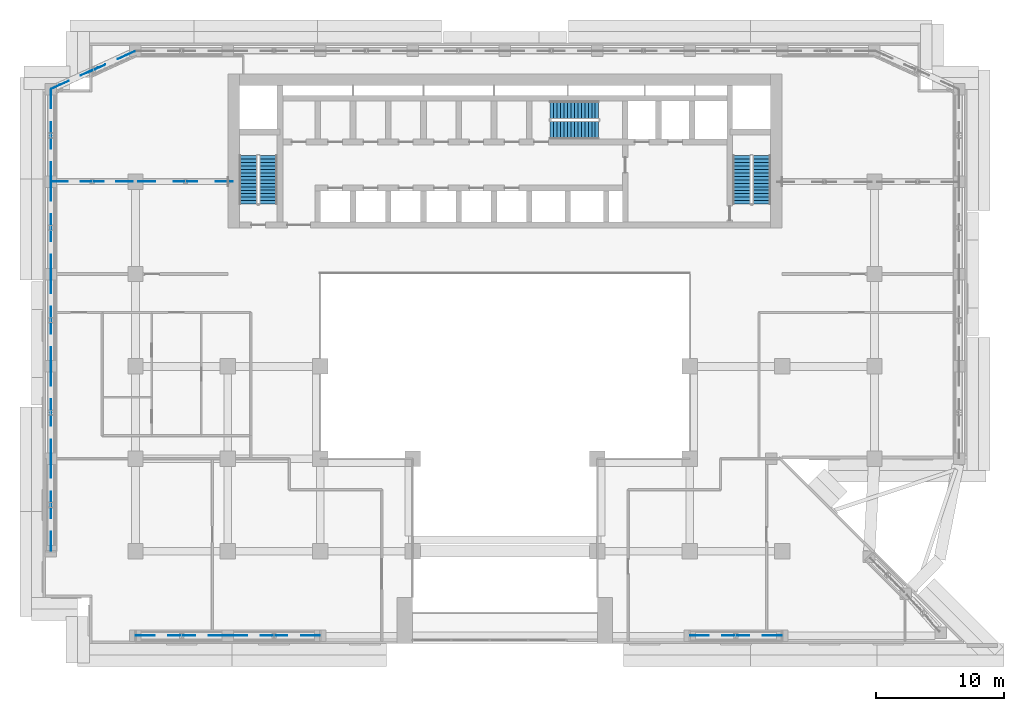
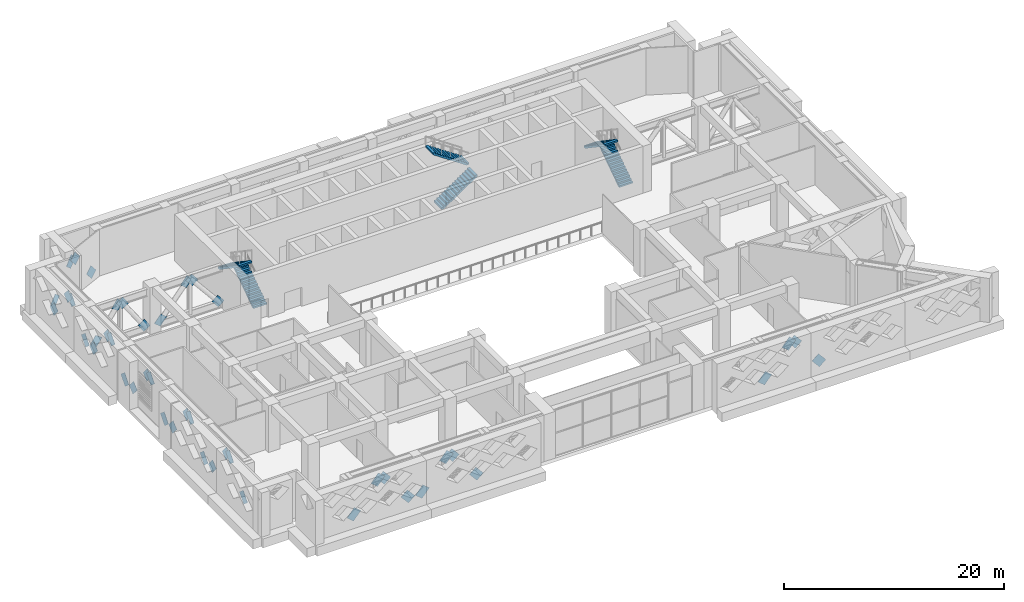
# One storey, part 12 of 19: 44 discrete accessories, 6 stair flights, 3 elements without a shape of their own.
"""IFC4 building model written with IfcOpenShell, lengths in metres."""

from ifc_helpers import new_model, si_unit, direction, frame, origin, place, context, subcontext, project, spatial, polyline, outline, extrude, material, layer, layer_set, type_object, element, aggregate, save


model = new_model("IFC4")

# Units and contexts
model_context = context("Model", 3, precision=1e-05, world=origin(), true_north=direction((0.0, 1.0)))
body_context = subcontext(model_context, "Body", "Model", "MODEL_VIEW")
ifc_project = project(units=[si_unit("LENGTHUNIT", "METRE"), si_unit("AREAUNIT", "SQUARE_METRE"), si_unit("VOLUMEUNIT", "CUBIC_METRE"), si_unit("PLANEANGLEUNIT", "RADIAN"), si_unit("MASSUNIT", "GRAM", prefix="KILO")], contexts=[model_context])

# Site, building, storey
site_placement = place(None, origin())
site = spatial("IfcSite", under=ifc_project, at=site_placement, CompositionType="ELEMENT")
building_placement = place(site_placement, origin())
building = spatial("IfcBuilding", under=site, at=building_placement, Name="Saffron Iwan Residences", CompositionType="ELEMENT")
storey_placement = place(building_placement, frame((0.0, 0.0, 107.5)))
storey = spatial("IfcBuildingStorey", under=building, at=storey_placement, Name="L28", CompositionType="ELEMENT", Elevation=107.5)

# Stair, stair flights
ifc_material = material(Name="Concrete C50/60", Category="concrete")
stair_type = type_object("IfcStairType", Name="Stair ST-CORE", PredefinedType="HALF_TURN_STAIR", material=ifc_material)
stair_1_placement = place(storey_placement, origin())
stair_1 = element("IfcStair", 1, at=stair_1_placement, inside=storey, type_object=stair_type, Name="L28 Exit Stair ST-W", PredefinedType="HALF_TURN_STAIR")
ifc_layer = layer(ifc_material, 0.14990234375)
ifc_layer_set = layer_set([ifc_layer], Name="Concrete C50/60")
stair_flight_type = type_object("IfcStairFlightType", Name="Stair flight SFL-RC", PredefinedType="STRAIGHT", material=ifc_layer_set)
stair_flight_1_placement = place(storey_placement, frame((31.949951171875, 67.85009765625, 0.0), z_axis=(0.0, 0.0, 1.0), x_axis=(0.0, 1.0, 0.0)))
stair_flight_1 = element("IfcStairFlight", 2, at=stair_flight_1_placement, type_object=stair_flight_type, Name="ST-W flight 1", NumberOfRisers=15, NumberOfTreads=14, PredefinedType="STRAIGHT", RiserHeight=0.183333333, TreadLength=0.27, context=body_context, shape_type="SweptSolid", body=[
    extrude(outline(polyline([(0.0, 0.0), (0.0, 0.183349609375), (0.27001953125, 0.183349609375), (0.27001953125, 0.36669921875), (0.5400390625, 0.36669921875), (0.5400390625, 0.550048828125), (0.81005859375, 0.550048828125), (0.81005859375, 0.7333984375), (1.080078125, 0.7333984375), (1.080078125, 0.916748046875), (1.35009765625, 0.916748046875), (1.35009765625, 1.10009765625), (1.6201171875, 1.10009765625), (1.6201171875, 1.283447265625), (1.889892578125, 1.283447265625), (1.889892578125, 1.466552734375), (2.159912109375, 1.466552734375), (2.159912109375, 1.64990234375), (2.429931640625, 1.64990234375), (2.429931640625, 1.833251953125), (2.699951171875, 1.833251953125), (2.699951171875, 2.0166015625), (2.969970703125, 2.0166015625), (2.969970703125, 2.199951171875), (3.239990234375, 2.199951171875), (3.239990234375, 2.38330078125), (3.510009765625, 2.38330078125), (3.510009765625, 2.566650390625), (3.780029296875, 2.566650390625), (3.780029296875, 2.75), (3.780029296875, 2.385498046875), (0.266845703125, 0.0), (0.0, 0.0)])), frame((0.0, 0.699951171875, 0.0), z_axis=(0.0, -1.0, 0.0), x_axis=(1.0, 0.0, 0.0)), (0.0, 0.0, 1.0), 1.39990234375),
])
stair_flight_2_placement = place(storey_placement, frame((30.39990234375, 71.6298828125, 2.75), z_axis=(0.0, 0.0, 1.0), x_axis=(0.0, -1.0, 0.0)))
stair_flight_2 = element("IfcStairFlight", 3, at=stair_flight_2_placement, type_object=stair_flight_type, Name="ST-W flight 2", NumberOfRisers=15, NumberOfTreads=14, PredefinedType="STRAIGHT", RiserHeight=0.183333333, TreadLength=0.27, context=body_context, shape_type="SweptSolid", body=[
    extrude(outline(polyline([(0.0, 0.0), (0.0, 0.183349609375), (0.27001953125, 0.183349609375), (0.27001953125, 0.36669921875), (0.5400390625, 0.36669921875), (0.5400390625, 0.550048828125), (0.81005859375, 0.550048828125), (0.81005859375, 0.7333984375), (1.080078125, 0.7333984375), (1.080078125, 0.916748046875), (1.35009765625, 0.916748046875), (1.35009765625, 1.10009765625), (1.6201171875, 1.10009765625), (1.6201171875, 1.283447265625), (1.889892578125, 1.283447265625), (1.889892578125, 1.466552734375), (2.159912109375, 1.466552734375), (2.159912109375, 1.64990234375), (2.429931640625, 1.64990234375), (2.429931640625, 1.833251953125), (2.699951171875, 1.833251953125), (2.699951171875, 2.0166015625), (2.969970703125, 2.0166015625), (2.969970703125, 2.199951171875), (3.239990234375, 2.199951171875), (3.239990234375, 2.38330078125), (3.510009765625, 2.38330078125), (3.510009765625, 2.566650390625), (3.780029296875, 2.566650390625), (3.780029296875, 2.75), (3.780029296875, 2.385498046875), (0.266845703125, 0.0), (0.0, 0.0)])), frame((0.0, 0.699951171875, 0.0), z_axis=(0.0, -1.0, 0.0), x_axis=(1.0, 0.0, 0.0)), (0.0, 0.0, 1.0), 1.39990234375),
])
aggregate(stair_1, [stair_flight_1, stair_flight_2])

stair_2_placement = place(storey_placement, origin())
stair_2 = element("IfcStair", 4, at=stair_2_placement, inside=storey, type_object=stair_type, Name="L28 Exit Stair ST-C", PredefinedType="HALF_TURN_STAIR")
stair_flight_3_placement = place(storey_placement, frame((53.925048828125, 73.625, 0.0), z_axis=(0.0, 0.0, 1.0), x_axis=(1.0, 0.0, 0.0)))
stair_flight_3 = element("IfcStairFlight", 5, at=stair_flight_3_placement, type_object=stair_flight_type, Name="ST-C flight 1", NumberOfRisers=15, NumberOfTreads=14, PredefinedType="STRAIGHT", RiserHeight=0.183333333, TreadLength=0.27, context=body_context, shape_type="SweptSolid", body=[
    extrude(outline(polyline([(0.0, 0.0), (0.0, 0.183349609375), (0.27001953125, 0.183349609375), (0.27001953125, 0.36669921875), (0.5400390625, 0.36669921875), (0.5400390625, 0.550048828125), (0.81005859375, 0.550048828125), (0.81005859375, 0.7333984375), (1.080078125, 0.7333984375), (1.080078125, 0.916748046875), (1.35009765625, 0.916748046875), (1.35009765625, 1.10009765625), (1.6201171875, 1.10009765625), (1.6201171875, 1.283447265625), (1.889892578125, 1.283447265625), (1.889892578125, 1.466552734375), (2.159912109375, 1.466552734375), (2.159912109375, 1.64990234375), (2.429931640625, 1.64990234375), (2.429931640625, 1.833251953125), (2.699951171875, 1.833251953125), (2.699951171875, 2.0166015625), (2.969970703125, 2.0166015625), (2.969970703125, 2.199951171875), (3.239990234375, 2.199951171875), (3.239990234375, 2.38330078125), (3.510009765625, 2.38330078125), (3.510009765625, 2.566650390625), (3.780029296875, 2.566650390625), (3.780029296875, 2.75), (3.780029296875, 2.385498046875), (0.266845703125, 0.0), (0.0, 0.0)])), frame((0.0, 0.699951171875, 0.0), z_axis=(0.0, -1.0, 0.0), x_axis=(1.0, 0.0, 0.0)), (0.0, 0.0, 1.0), 1.39990234375),
])
stair_flight_4_placement = place(storey_placement, frame((57.705078125, 75.175048828125, 2.75), z_axis=(0.0, 0.0, 1.0), x_axis=(-1.0, 0.0, 0.0)))
stair_flight_4 = element("IfcStairFlight", 6, at=stair_flight_4_placement, type_object=stair_flight_type, Name="ST-C flight 2", NumberOfRisers=15, NumberOfTreads=14, PredefinedType="STRAIGHT", RiserHeight=0.183333333, TreadLength=0.27, context=body_context, shape_type="SweptSolid", body=[
    extrude(outline(polyline([(0.0, 0.0), (0.0, 0.183349609375), (0.27001953125, 0.183349609375), (0.27001953125, 0.36669921875), (0.5400390625, 0.36669921875), (0.5400390625, 0.550048828125), (0.81005859375, 0.550048828125), (0.81005859375, 0.7333984375), (1.080078125, 0.7333984375), (1.080078125, 0.916748046875), (1.35009765625, 0.916748046875), (1.35009765625, 1.10009765625), (1.6201171875, 1.10009765625), (1.6201171875, 1.283447265625), (1.889892578125, 1.283447265625), (1.889892578125, 1.466552734375), (2.159912109375, 1.466552734375), (2.159912109375, 1.64990234375), (2.429931640625, 1.64990234375), (2.429931640625, 1.833251953125), (2.699951171875, 1.833251953125), (2.699951171875, 2.0166015625), (2.969970703125, 2.0166015625), (2.969970703125, 2.199951171875), (3.239990234375, 2.199951171875), (3.239990234375, 2.38330078125), (3.510009765625, 2.38330078125), (3.510009765625, 2.566650390625), (3.780029296875, 2.566650390625), (3.780029296875, 2.75), (3.780029296875, 2.385498046875), (0.266845703125, 0.0), (0.0, 0.0)])), frame((0.0, 0.699951171875, 0.0), z_axis=(0.0, -1.0, 0.0), x_axis=(1.0, 0.0, 0.0)), (0.0, 0.0, 1.0), 1.39990234375),
])
aggregate(stair_2, [stair_flight_3, stair_flight_4])

stair_3_placement = place(storey_placement, origin())
stair_3 = element("IfcStair", 7, at=stair_3_placement, inside=storey, type_object=stair_type, Name="L28 Exit Stair ST-E", PredefinedType="HALF_TURN_STAIR")
stair_flight_5_placement = place(storey_placement, frame((70.39990234375, 67.85009765625, 0.0), z_axis=(0.0, 0.0, 1.0), x_axis=(0.0, 1.0, 0.0)))
stair_flight_5 = element("IfcStairFlight", 8, at=stair_flight_5_placement, type_object=stair_flight_type, Name="ST-E flight 1", NumberOfRisers=15, NumberOfTreads=14, PredefinedType="STRAIGHT", RiserHeight=0.183333333, TreadLength=0.27, context=body_context, shape_type="SweptSolid", body=[
    extrude(outline(polyline([(0.0, 0.0), (0.0, 0.183349609375), (0.27001953125, 0.183349609375), (0.27001953125, 0.36669921875), (0.5400390625, 0.36669921875), (0.5400390625, 0.550048828125), (0.81005859375, 0.550048828125), (0.81005859375, 0.7333984375), (1.080078125, 0.7333984375), (1.080078125, 0.916748046875), (1.35009765625, 0.916748046875), (1.35009765625, 1.10009765625), (1.6201171875, 1.10009765625), (1.6201171875, 1.283447265625), (1.889892578125, 1.283447265625), (1.889892578125, 1.466552734375), (2.159912109375, 1.466552734375), (2.159912109375, 1.64990234375), (2.429931640625, 1.64990234375), (2.429931640625, 1.833251953125), (2.699951171875, 1.833251953125), (2.699951171875, 2.0166015625), (2.969970703125, 2.0166015625), (2.969970703125, 2.199951171875), (3.239990234375, 2.199951171875), (3.239990234375, 2.38330078125), (3.510009765625, 2.38330078125), (3.510009765625, 2.566650390625), (3.780029296875, 2.566650390625), (3.780029296875, 2.75), (3.780029296875, 2.385498046875), (0.266845703125, 0.0), (0.0, 0.0)])), frame((0.0, 0.699951171875, 0.0), z_axis=(0.0, -1.0, 0.0), x_axis=(1.0, 0.0, 0.0)), (0.0, 0.0, 1.0), 1.39990234375),
])
stair_flight_6_placement = place(storey_placement, frame((68.85009765625, 71.6298828125, 2.75), z_axis=(0.0, 0.0, 1.0), x_axis=(0.0, -1.0, 0.0)))
stair_flight_6 = element("IfcStairFlight", 9, at=stair_flight_6_placement, type_object=stair_flight_type, Name="ST-E flight 2", NumberOfRisers=15, NumberOfTreads=14, PredefinedType="STRAIGHT", RiserHeight=0.183333333, TreadLength=0.27, context=body_context, shape_type="SweptSolid", body=[
    extrude(outline(polyline([(0.0, 0.0), (0.0, 0.183349609375), (0.27001953125, 0.183349609375), (0.27001953125, 0.36669921875), (0.5400390625, 0.36669921875), (0.5400390625, 0.550048828125), (0.81005859375, 0.550048828125), (0.81005859375, 0.7333984375), (1.080078125, 0.7333984375), (1.080078125, 0.916748046875), (1.35009765625, 0.916748046875), (1.35009765625, 1.10009765625), (1.6201171875, 1.10009765625), (1.6201171875, 1.283447265625), (1.889892578125, 1.283447265625), (1.889892578125, 1.466552734375), (2.159912109375, 1.466552734375), (2.159912109375, 1.64990234375), (2.429931640625, 1.64990234375), (2.429931640625, 1.833251953125), (2.699951171875, 1.833251953125), (2.699951171875, 2.0166015625), (2.969970703125, 2.0166015625), (2.969970703125, 2.199951171875), (3.239990234375, 2.199951171875), (3.239990234375, 2.38330078125), (3.510009765625, 2.38330078125), (3.510009765625, 2.566650390625), (3.780029296875, 2.566650390625), (3.780029296875, 2.75), (3.780029296875, 2.385498046875), (0.266845703125, 0.0), (0.0, 0.0)])), frame((0.0, 0.699951171875, 0.0), z_axis=(0.0, -1.0, 0.0), x_axis=(1.0, 0.0, 0.0)), (0.0, 0.0, 1.0), 1.39990234375),
])
aggregate(stair_3, [stair_flight_5, stair_flight_6])

# Discrete accessories
discrete_accessory_1_placement = place(storey_placement, frame((15.0, 40.830078125, 0.511474609375), z_axis=(-1.0, 0.0, 0.0), x_axis=(0.0, 0.650255036817, 0.759715991075)))
element("IfcDiscreteAccessory", 10, at=discrete_accessory_1_placement, inside=storey, Name="Gusset plate L28", PredefinedType="BRACKET", context=body_context, shape_type="SweptSolid", body=[
    extrude(outline(polyline([(0.0, 0.0), (1.199949855551478, 0.0), (1.2000292323870267, 0.9000551304320503), (7.937683554892772e-05, 0.9000551304320501), (0.0, 0.0)])), origin(), (0.0, 0.0, -1.0), 0.030029296875),
])
discrete_accessory_2_placement = place(storey_placement, frame((15.0, 44.81982421875, 3.78857421875), z_axis=(-1.0, 0.0, 0.0), x_axis=(0.0, -0.650255036817, -0.759715991075)))
element("IfcDiscreteAccessory", 11, at=discrete_accessory_2_placement, inside=storey, Name="Gusset plate L28", PredefinedType="BRACKET", context=body_context, shape_type="SweptSolid", body=[
    extrude(outline(polyline([(0.0, 0.0), (1.199949855551478, 0.0), (1.2000292323870267, 0.9000551304320503), (-7.937683554892772e-05, 0.8998696528951668), (0.0, 0.0)])), origin(), (0.0, 0.0, -1.0), 0.030029296875),
])
discrete_accessory_3_placement = place(storey_placement, frame((15.0, 44.663818359375, 4.373779296875), z_axis=(-1.0, 0.0, 0.0), x_axis=(0.0, 0.650255036817, -0.759715991075)))
element("IfcDiscreteAccessory", 12, at=discrete_accessory_3_placement, inside=storey, Name="Gusset plate L28", PredefinedType="BRACKET", context=body_context, shape_type="SweptSolid", body=[
    extrude(outline(polyline([(0.0, 0.0), (1.199949855551478, 0.0), (1.200029232387027, 0.8998696528951668), (-7.937683554892772e-05, 0.9000551304320501), (0.0, 0.0)])), origin(), (0.0, 0.0, -1.0), 0.030029296875),
])
discrete_accessory_4_placement = place(storey_placement, frame((15.0, 47.2861328125, -0.07373046875), z_axis=(-1.0, 0.0, 0.0), x_axis=(0.0, -0.650255036817, 0.759715991075)))
element("IfcDiscreteAccessory", 13, at=discrete_accessory_4_placement, inside=storey, Name="Gusset plate L28", PredefinedType="BRACKET", context=body_context, shape_type="SweptSolid", body=[
    extrude(outline(polyline([(0.0, 0.0), (1.199949855551478, 0.0), (1.1998704787159291, 0.9000551304320502), (-7.937683554892772e-05, 0.9000551304320501), (0.0, 0.0)])), origin(), (0.0, 0.0, -1.0), 0.030029296875),
])
discrete_accessory_5_placement = place(storey_placement, frame((15.0, 48.030029296875, 0.511474609375), z_axis=(-1.0, 0.0, 0.0), x_axis=(0.0, 0.650255036817, 0.759715991075)))
element("IfcDiscreteAccessory", 14, at=discrete_accessory_5_placement, inside=storey, Name="Gusset plate L28", PredefinedType="BRACKET", context=body_context, shape_type="SweptSolid", body=[
    extrude(outline(polyline([(0.0, 0.0), (1.199949855551478, 0.0), (1.2000292323870267, 0.9000551304320503), (7.937683554892772e-05, 0.9000551304320501), (0.0, 0.0)])), origin(), (0.0, 0.0, -1.0), 0.030029296875),
])
discrete_accessory_6_placement = place(storey_placement, frame((15.0, 52.02001953125, 3.78857421875), z_axis=(-1.0, 0.0, 0.0), x_axis=(0.0, -0.650372443632, -0.759615484679)))
element("IfcDiscreteAccessory", 15, at=discrete_accessory_6_placement, inside=storey, Name="Gusset plate L28", PredefinedType="BRACKET", context=body_context, shape_type="SweptSolid", body=[
    extrude(outline(polyline([(0.0, 0.0), (1.2001086235554106, 0.0), (1.2001683221373671, 0.89986965441581), (0.00021848091682746817, 0.9000551074149994), (0.0, 0.0)])), origin(), (0.0, 0.0, -1.0), 0.030029296875),
])
discrete_accessory_7_placement = place(storey_placement, frame((15.0, 51.86376953125, 4.373779296875), z_axis=(-1.0, 0.0, 0.0), x_axis=(0.0, 0.650372443632, -0.759615484679)))
element("IfcDiscreteAccessory", 16, at=discrete_accessory_7_placement, inside=storey, Name="Gusset plate L28", PredefinedType="BRACKET", context=body_context, shape_type="SweptSolid", body=[
    extrude(outline(polyline([(0.0, 0.0), (1.2001086235554106, 0.0), (1.199890142638583, 0.9000551074149993), (-5.9698581956479924e-05, 0.89986965441581), (0.0, 0.0)])), origin(), (0.0, 0.0, -1.0), 0.030029296875),
])
discrete_accessory_8_placement = place(storey_placement, frame((15.0, 54.486083984375, -0.07373046875), z_axis=(-1.0, 0.0, 0.0), x_axis=(0.0, -0.650255036817, 0.759715991075)))
element("IfcDiscreteAccessory", 17, at=discrete_accessory_8_placement, inside=storey, Name="Gusset plate L28", PredefinedType="BRACKET", context=body_context, shape_type="SweptSolid", body=[
    extrude(outline(polyline([(0.0, 0.0), (1.199949855551478, 0.0), (1.1998704787159291, 0.9000551304320502), (-7.937683554892772e-05, 0.9000551304320501), (0.0, 0.0)])), origin(), (0.0, 0.0, -1.0), 0.030029296875),
])
discrete_accessory_9_placement = place(storey_placement, frame((15.0, 55.22998046875, 0.511474609375), z_axis=(-1.0, 0.0, 0.0), x_axis=(0.0, 0.650372443632, 0.759615484679)))
element("IfcDiscreteAccessory", 18, at=discrete_accessory_9_placement, inside=storey, Name="Gusset plate L28", PredefinedType="BRACKET", context=body_context, shape_type="SweptSolid", body=[
    extrude(outline(polyline([(0.0, 0.0), (1.2001086235554106, 0.0), (1.2001683221373671, 0.89986965441581), (0.00021848091682746817, 0.9000551074149994), (0.0, 0.0)])), origin(), (0.0, 0.0, -1.0), 0.030029296875),
])
discrete_accessory_10_placement = place(storey_placement, frame((15.0, 59.219970703125, 3.78857421875), z_axis=(-1.0, 0.0, 0.0), x_axis=(0.0, -0.650255036817, -0.759715991075)))
element("IfcDiscreteAccessory", 19, at=discrete_accessory_10_placement, inside=storey, Name="Gusset plate L28", PredefinedType="BRACKET", context=body_context, shape_type="SweptSolid", body=[
    extrude(outline(polyline([(0.0, 0.0), (1.199949855551478, 0.0), (1.2000292323870267, 0.9000551304320503), (7.937683554892772e-05, 0.9000551304320501), (0.0, 0.0)])), origin(), (0.0, 0.0, -1.0), 0.030029296875),
])
for number, where, z_axis, x_axis, name in (
    (20, (15.0, 59.063720703125, 4.373779296875), (-1.0, 0.0, 0.0), (0.0, 0.650372443632, -0.759615484679), "Gusset plate L28"),
    (21, (15.0, 61.686279296875, -0.07373046875), (-1.0, 0.0, 0.0), (0.0, -0.650372443632, 0.759615484679), "Gusset plate L28"),
):
    element("IfcDiscreteAccessory", number, at=place(storey_placement, frame(where, z_axis=z_axis, x_axis=x_axis)), inside=storey, Name=name, PredefinedType="BRACKET", context=body_context, shape_type="SweptSolid", body=[
        extrude(outline(polyline([(0.0, 0.0), (1.2001086235554106, 0.0), (1.199890142638583, 0.9000551074149993), (-5.9698581956479924e-05, 0.89986965441581), (0.0, 0.0)])), origin(), (0.0, 0.0, -1.0), 0.030029296875),
    ])
discrete_accessory_11_placement = place(storey_placement, frame((15.0, 62.43017578125, 0.511474609375), z_axis=(-1.0, 0.0, 0.0), x_axis=(0.0, 0.650255036817, 0.759715991075)))
element("IfcDiscreteAccessory", 22, at=discrete_accessory_11_placement, inside=storey, Name="Gusset plate L28", PredefinedType="BRACKET", context=body_context, shape_type="SweptSolid", body=[
    extrude(outline(polyline([(0.0, 0.0), (1.199949855551478, 0.0), (1.2000292323870267, 0.9000551304320503), (-7.937683554892772e-05, 0.8998696528951668), (0.0, 0.0)])), origin(), (0.0, 0.0, -1.0), 0.030029296875),
])
discrete_accessory_12_placement = place(storey_placement, frame((15.0, 66.419921875, 3.78857421875), z_axis=(-1.0, 0.0, 0.0), x_axis=(0.0, -0.650255036817, -0.759715991075)))
element("IfcDiscreteAccessory", 23, at=discrete_accessory_12_placement, inside=storey, Name="Gusset plate L28", PredefinedType="BRACKET", context=body_context, shape_type="SweptSolid", body=[
    extrude(outline(polyline([(0.0, 0.0), (1.199949855551478, 0.0), (1.2000292323870267, 0.9000551304320503), (7.937683554892772e-05, 0.9000551304320501), (0.0, 0.0)])), origin(), (0.0, 0.0, -1.0), 0.030029296875),
])
discrete_accessory_13_placement = place(storey_placement, frame((15.0, 66.263916015625, 4.373779296875), z_axis=(-1.0, 0.0, 0.0), x_axis=(0.0, 0.650255036817, -0.759715991075)))
element("IfcDiscreteAccessory", 24, at=discrete_accessory_13_placement, inside=storey, Name="Gusset plate L28", PredefinedType="BRACKET", context=body_context, shape_type="SweptSolid", body=[
    extrude(outline(polyline([(0.0, 0.0), (1.199949855551478, 0.0), (1.1998704787159291, 0.9000551304320502), (-7.937683554892772e-05, 0.9000551304320501), (0.0, 0.0)])), origin(), (0.0, 0.0, -1.0), 0.030029296875),
])
discrete_accessory_14_placement = place(storey_placement, frame((15.0, 68.88623046875, -0.07373046875), z_axis=(-1.0, 0.0, 0.0), x_axis=(0.0, -0.650372443632, 0.759615484679)))
element("IfcDiscreteAccessory", 25, at=discrete_accessory_14_placement, inside=storey, Name="Gusset plate L28", PredefinedType="BRACKET", context=body_context, shape_type="SweptSolid", body=[
    extrude(outline(polyline([(0.0, 0.0), (1.2001086235554106, 0.0), (1.199890142638583, 0.9000551074149993), (-5.9698581956479924e-05, 0.89986965441581), (0.0, 0.0)])), origin(), (0.0, 0.0, -1.0), 0.030029296875),
])
for number, where, z_axis, x_axis, name in (
    (26, (15.0, 69.630126953125, 0.511474609375), (-1.0, 0.0, 0.0), (0.0, 0.650255036817, 0.759715991075), "Gusset plate L28"),
    (27, (15.0, 73.619873046875, 3.78857421875), (-1.0, 0.0, 0.0), (0.0, -0.650255036817, -0.759715991075), "Gusset plate L28"),
):
    element("IfcDiscreteAccessory", number, at=place(storey_placement, frame(where, z_axis=z_axis, x_axis=x_axis)), inside=storey, Name=name, PredefinedType="BRACKET", context=body_context, shape_type="SweptSolid", body=[
        extrude(outline(polyline([(0.0, 0.0), (1.199949855551478, 0.0), (1.2000292323870267, 0.9000551304320503), (-7.937683554892772e-05, 0.8998696528951668), (0.0, 0.0)])), origin(), (0.0, 0.0, -1.0), 0.030029296875),
    ])
discrete_accessory_15_placement = place(storey_placement, frame((15.0, 73.4638671875, 4.373779296875), z_axis=(-1.0, 0.0, 0.0), x_axis=(0.0, 0.650255036817, -0.759715991075)))
element("IfcDiscreteAccessory", 28, at=discrete_accessory_15_placement, inside=storey, Name="Gusset plate L28", PredefinedType="BRACKET", context=body_context, shape_type="SweptSolid", body=[
    extrude(outline(polyline([(0.0, 0.0), (1.199949855551478, 0.0), (1.1998704787159291, 0.9000551304320502), (-7.937683554892772e-05, 0.9000551304320501), (0.0, 0.0)])), origin(), (0.0, 0.0, -1.0), 0.030029296875),
])
discrete_accessory_16_placement = place(storey_placement, frame((15.0, 76.086181640625, -0.07373046875), z_axis=(-1.0, 0.0, 0.0), x_axis=(0.0, -0.650255036817, 0.759715991075)))
element("IfcDiscreteAccessory", 29, at=discrete_accessory_16_placement, inside=storey, Name="Gusset plate L28", PredefinedType="BRACKET", context=body_context, shape_type="SweptSolid", body=[
    extrude(outline(polyline([(0.0, 0.0), (1.199949855551478, 0.0), (1.200029232387027, 0.8998696528951668), (-7.937683554892772e-05, 0.9000551304320501), (0.0, 0.0)])), origin(), (0.0, 0.0, -1.0), 0.030029296875),
])
discrete_accessory_17_placement = place(storey_placement, frame((15.067138671875, 76.83056640625, 0.51025390625), z_axis=(0.413659879736, -0.910431492953, 2.3149218e-05), x_axis=(0.589862811648, 0.268026990421, 0.761723963021)))
element("IfcDiscreteAccessory", 30, at=discrete_accessory_17_placement, inside=storey, Name="Gusset plate L28", PredefinedType="BRACKET", context=body_context, shape_type="SweptSolid", body=[
    extrude(outline(polyline([(0.0, 0.0), (1.1999917924544545, 1.1102230246251565e-16), (1.199918549681785, -0.9001306409755097), (-0.00015181597121127766, -0.9000382526206725), (0.0, 0.0)])), origin(), (0.0, 0.0, -1.0), 0.030029296875),
])
discrete_accessory_18_placement = place(storey_placement, frame((18.682861328125, 78.47412109375, 3.789794921875), z_axis=(0.413800127674, -0.91036775764, 1.3684396e-05), x_axis=(-0.589868972904, -0.268131507749, -0.761682407147)))
element("IfcDiscreteAccessory", 31, at=discrete_accessory_18_placement, inside=storey, Name="Gusset plate L28", PredefinedType="BRACKET", context=body_context, shape_type="SweptSolid", body=[
    extrude(outline(polyline([(0.0, 0.0), (1.2000572616036222, 0.0), (1.2000417277992534, -0.90013061700369), (-2.8621196313638464e-05, -0.9001152209188276), (0.0, 0.0)])), origin(), (0.0, 0.0, -1.0), 0.030029296875),
])
for number, where, z_axis, x_axis, name in (
    (32, (18.541259765625, 78.40966796875, 4.373046875), (-0.413863878312, 0.910338777676, 9.381878e-06), (0.589807088603, 0.268149618068, -0.761723952994), "Gusset plate L28"),
    (33, (20.90869140625, 79.48583984375, -0.072998046875), (-0.413863878312, 0.910338777676, 9.381878e-06), (-0.589807088603, -0.268149618068, 0.761723952994), "Gusset plate L28"),
):
    element("IfcDiscreteAccessory", number, at=place(storey_placement, frame(where, z_axis=z_axis, x_axis=x_axis)), inside=storey, Name=name, PredefinedType="BRACKET", context=body_context, shape_type="SweptSolid", body=[
        extrude(outline(polyline([(0.0, 0.0), (1.1999918033399388, 0.0), (1.2001435975388046, 0.9000382671376076), (0.0001517941988658511, 0.9000382671376075), (0.0, 0.0)])), origin(), (0.0, 0.0, -1.0), 0.030029296875),
    ])
discrete_accessory_19_placement = place(storey_placement, frame((71.969970703125, 34.199951171875, 0.511474609375), z_axis=(0.0, -1.0, 0.0), x_axis=(-0.650255036817, 0.0, 0.759715991075)))
element("IfcDiscreteAccessory", 34, at=discrete_accessory_19_placement, inside=storey, Name="Gusset plate L28", PredefinedType="BRACKET", context=body_context, shape_type="SweptSolid", body=[
    extrude(outline(polyline([(0.0, 0.0), (1.199949855551478, 0.0), (1.2000292323870267, 0.9000551304320503), (7.937683554892772e-05, 0.9000551304320501), (0.0, 0.0)])), origin(), (0.0, 0.0, -1.0), 0.030029296875),
])
discrete_accessory_20_placement = place(storey_placement, frame((67.97998046875, 34.199951171875, 3.78857421875), z_axis=(0.0, -1.0, 0.0), x_axis=(0.650372443632, 0.0, -0.759615484679)))
element("IfcDiscreteAccessory", 35, at=discrete_accessory_20_placement, inside=storey, Name="Gusset plate L28", PredefinedType="BRACKET", context=body_context, shape_type="SweptSolid", body=[
    extrude(outline(polyline([(0.0, 0.0), (1.2001086235554106, 0.0), (1.2001683221373671, 0.89986965441581), (0.00021848091682746817, 0.9000551074149994), (0.0, 0.0)])), origin(), (0.0, 0.0, -1.0), 0.030029296875),
])
discrete_accessory_21_placement = place(storey_placement, frame((68.13623046875, 34.199951171875, 4.373779296875), z_axis=(0.0, -1.0, 0.0), x_axis=(-0.650372443632, 0.0, -0.759615484679)))
element("IfcDiscreteAccessory", 36, at=discrete_accessory_21_placement, inside=storey, Name="Gusset plate L28", PredefinedType="BRACKET", context=body_context, shape_type="SweptSolid", body=[
    extrude(outline(polyline([(0.0, 0.0), (1.2001086235554106, 0.0), (1.199890142638583, 0.9000551074149993), (-5.9698581956479924e-05, 0.89986965441581), (0.0, 0.0)])), origin(), (0.0, 0.0, -1.0), 0.030029296875),
])
discrete_accessory_22_placement = place(storey_placement, frame((65.513916015625, 34.199951171875, -0.07373046875), z_axis=(0.0, -1.0, 0.0), x_axis=(0.650255036817, 0.0, 0.759715991075)))
element("IfcDiscreteAccessory", 37, at=discrete_accessory_22_placement, inside=storey, Name="Gusset plate L28", PredefinedType="BRACKET", context=body_context, shape_type="SweptSolid", body=[
    extrude(outline(polyline([(0.0, 0.0), (1.199949855551478, 0.0), (1.1998704787159291, 0.9000551304320502), (-7.937683554892772e-05, 0.9000551304320501), (0.0, 0.0)])), origin(), (0.0, 0.0, -1.0), 0.030029296875),
])
discrete_accessory_23_placement = place(storey_placement, frame((35.969970703125, 34.199951171875, 0.511474609375), z_axis=(0.0, -1.0, 0.0), x_axis=(-0.650255036817, 0.0, 0.759715991075)))
element("IfcDiscreteAccessory", 38, at=discrete_accessory_23_placement, inside=storey, Name="Gusset plate L28", PredefinedType="BRACKET", context=body_context, shape_type="SweptSolid", body=[
    extrude(outline(polyline([(0.0, 0.0), (1.199949855551478, 0.0), (1.2000292323870267, 0.9000551304320503), (7.937683554892772e-05, 0.9000551304320501), (0.0, 0.0)])), origin(), (0.0, 0.0, -1.0), 0.030029296875),
])
discrete_accessory_24_placement = place(storey_placement, frame((31.97998046875, 34.199951171875, 3.78857421875), z_axis=(0.0, -1.0, 0.0), x_axis=(0.650372443632, 0.0, -0.759615484679)))
element("IfcDiscreteAccessory", 39, at=discrete_accessory_24_placement, inside=storey, Name="Gusset plate L28", PredefinedType="BRACKET", context=body_context, shape_type="SweptSolid", body=[
    extrude(outline(polyline([(0.0, 0.0), (1.2001086235554106, 0.0), (1.2001683221373671, 0.89986965441581), (0.00021848091682746817, 0.9000551074149994), (0.0, 0.0)])), origin(), (0.0, 0.0, -1.0), 0.030029296875),
])
discrete_accessory_25_placement = place(storey_placement, frame((32.13623046875, 34.199951171875, 4.373779296875), z_axis=(0.0, -1.0, 0.0), x_axis=(-0.650372443632, 0.0, -0.759615484679)))
element("IfcDiscreteAccessory", 40, at=discrete_accessory_25_placement, inside=storey, Name="Gusset plate L28", PredefinedType="BRACKET", context=body_context, shape_type="SweptSolid", body=[
    extrude(outline(polyline([(0.0, 0.0), (1.2001086235554106, 0.0), (1.199890142638583, 0.9000551074149993), (-5.9698581956479924e-05, 0.89986965441581), (0.0, 0.0)])), origin(), (0.0, 0.0, -1.0), 0.030029296875),
])
discrete_accessory_26_placement = place(storey_placement, frame((29.513916015625, 34.199951171875, -0.07373046875), z_axis=(0.0, -1.0, 0.0), x_axis=(0.650255036817, 0.0, 0.759715991075)))
element("IfcDiscreteAccessory", 41, at=discrete_accessory_26_placement, inside=storey, Name="Gusset plate L28", PredefinedType="BRACKET", context=body_context, shape_type="SweptSolid", body=[
    extrude(outline(polyline([(0.0, 0.0), (1.199949855551478, 0.0), (1.1998704787159291, 0.9000551304320502), (-7.937683554892772e-05, 0.9000551304320501), (0.0, 0.0)])), origin(), (0.0, 0.0, -1.0), 0.030029296875),
])
discrete_accessory_27_placement = place(storey_placement, frame((28.77001953125, 34.199951171875, 0.511474609375), z_axis=(0.0, -1.0, 0.0), x_axis=(-0.650372443632, 0.0, 0.759615484679)))
element("IfcDiscreteAccessory", 42, at=discrete_accessory_27_placement, inside=storey, Name="Gusset plate L28", PredefinedType="BRACKET", context=body_context, shape_type="SweptSolid", body=[
    extrude(outline(polyline([(0.0, 0.0), (1.2001086235554106, 0.0), (1.2001683221373671, 0.89986965441581), (0.00021848091682746817, 0.9000551074149994), (0.0, 0.0)])), origin(), (0.0, 0.0, -1.0), 0.030029296875),
])
discrete_accessory_28_placement = place(storey_placement, frame((24.780029296875, 34.199951171875, 3.78857421875), z_axis=(0.0, -1.0, 0.0), x_axis=(0.650255036817, 0.0, -0.759715991075)))
element("IfcDiscreteAccessory", 43, at=discrete_accessory_28_placement, inside=storey, Name="Gusset plate L28", PredefinedType="BRACKET", context=body_context, shape_type="SweptSolid", body=[
    extrude(outline(polyline([(0.0, 0.0), (1.199949855551478, 0.0), (1.2000292323870267, 0.9000551304320503), (7.937683554892772e-05, 0.9000551304320501), (0.0, 0.0)])), origin(), (0.0, 0.0, -1.0), 0.030029296875),
])
for number, where, z_axis, x_axis, name in (
    (44, (24.936279296875, 34.199951171875, 4.373779296875), (0.0, -1.0, 0.0), (-0.650372443632, 0.0, -0.759615484679), "Gusset plate L28"),
    (45, (22.313720703125, 34.199951171875, -0.07373046875), (0.0, -1.0, 0.0), (0.650372443632, 0.0, 0.759615484679), "Gusset plate L28"),
):
    element("IfcDiscreteAccessory", number, at=place(storey_placement, frame(where, z_axis=z_axis, x_axis=x_axis)), inside=storey, Name=name, PredefinedType="BRACKET", context=body_context, shape_type="SweptSolid", body=[
        extrude(outline(polyline([(0.0, 0.0), (1.2001086235554106, 0.0), (1.199890142638583, 0.9000551074149993), (-5.9698581956479924e-05, 0.89986965441581), (0.0, 0.0)])), origin(), (0.0, 0.0, -1.0), 0.030029296875),
    ])
discrete_accessory_29_placement = place(storey_placement, frame((29.1806640625, 69.60009765625, 0.58203125), z_axis=(0.0, -1.0, 0.0), x_axis=(-0.637734316897, 0.0, 0.770256412536)))
element("IfcDiscreteAccessory", 46, at=discrete_accessory_29_placement, inside=storey, Name="Gusset plate L28", PredefinedType="BRACKET", context=body_context, shape_type="SweptSolid", body=[
    extrude(outline(polyline([(0.0, 0.0), (1.0795664342639504, 0.0), (1.0794885858365948, 0.8095808002569793), (7.784842735558684e-05, 0.809768851138946), (0.0, 0.0)])), origin(), (0.0, 0.0, -1.0), 0.030029296875),
])
discrete_accessory_30_placement = place(storey_placement, frame((25.119384765625, 69.60009765625, 4.218017578125), z_axis=(0.0, -1.0, 0.0), x_axis=(0.637734316897, 0.0, -0.770256412536)))
element("IfcDiscreteAccessory", 47, at=discrete_accessory_30_placement, inside=storey, Name="Gusset plate L28", PredefinedType="BRACKET", context=body_context, shape_type="SweptSolid", body=[
    extrude(outline(polyline([(0.0, 0.0), (1.0795664342639504, 0.0), (1.0794885858365948, 0.8095808002569793), (-7.784842735553132e-05, 0.8095808002569793), (0.0, 0.0)])), origin(), (0.0, 0.0, -1.0), 0.030029296875),
])
discrete_accessory_31_placement = place(storey_placement, frame((25.257080078125, 69.60009765625, 4.734375), z_axis=(0.0, -1.0, 0.0), x_axis=(-0.637734316897, 0.0, -0.770256412536)))
element("IfcDiscreteAccessory", 48, at=discrete_accessory_31_placement, inside=storey, Name="Gusset plate L28", PredefinedType="BRACKET", context=body_context, shape_type="SweptSolid", body=[
    extrude(outline(polyline([(0.0, 0.0), (1.0795664342639504, 0.0), (1.0796442826913057, 0.8095808002569794), (7.784842735553132e-05, 0.8095808002569793), (0.0, 0.0)])), origin(), (0.0, 0.0, -1.0), 0.030029296875),
])
discrete_accessory_32_placement = place(storey_placement, frame((22.443115234375, 69.60009765625, 0.065673828125), z_axis=(0.0, -1.0, 0.0), x_axis=(0.637600116043, 0.0, 0.770367504521)))
element("IfcDiscreteAccessory", 49, at=discrete_accessory_32_placement, inside=storey, Name="Gusset plate L28", PredefinedType="BRACKET", context=body_context, shape_type="SweptSolid", body=[
    extrude(outline(polyline([(0.0, 0.0), (1.079410753789998, 1.1102230246251565e-16), (1.0796296443384383, 0.809580774408605), (6.322645760953316e-05, 0.8097688524126383), (0.0, 0.0)])), origin(), (0.0, 0.0, -1.0), 0.030029296875),
])
discrete_accessory_33_placement = place(storey_placement, frame((21.393798828125, 69.60009765625, 0.5498046875), z_axis=(0.0, -1.0, 0.0), x_axis=(-0.571289766174, 0.0, 0.820748440794)))
element("IfcDiscreteAccessory", 50, at=discrete_accessory_33_placement, inside=storey, Name="Gusset plate L28", PredefinedType="BRACKET", context=body_context, shape_type="SweptSolid", body=[
    extrude(outline(polyline([(0.0, 0.0), (1.0794858498522713, 0.0), (1.0794205295937622, 0.8097342194188142), (-0.00020479529907890814, 0.809533841381511), (0.0, 0.0)])), origin(), (0.0, 0.0, -1.0), 0.030029296875),
])
discrete_accessory_34_placement = place(storey_placement, frame((17.8310546875, 69.60009765625, 4.250244140625), z_axis=(0.0, -1.0, 0.0), x_axis=(0.571442086921, 0.0, -0.820642395502)))
element("IfcDiscreteAccessory", 51, at=discrete_accessory_34_placement, inside=storey, Name="Gusset plate L28", PredefinedType="BRACKET", context=body_context, shape_type="SweptSolid", body=[
    extrude(outline(polyline([(0.0, 0.0), (1.0796253434878835, 0.0), (1.0795707973535293, 0.809533865448345), (8.49660938979091e-05, 0.8097342175956845), (0.0, 0.0)])), origin(), (0.0, 0.0, -1.0), 0.030029296875),
])
for number, where, z_axis, x_axis, name in (
    (52, (17.954345703125, 69.60009765625, 4.712890625), (0.0, -1.0, 0.0), (-0.571289766174, 0.0, -0.820748440794), "Gusset plate L28"),
    (53, (15.720703125, 69.60009765625, 0.087158203125), (0.0, -1.0, 0.0), (0.571289766174, 0.0, 0.820748440794), "Gusset plate L28"),
):
    element("IfcDiscreteAccessory", number, at=place(storey_placement, frame(where, z_axis=z_axis, x_axis=x_axis)), inside=storey, Name=name, PredefinedType="BRACKET", context=body_context, shape_type="SweptSolid", body=[
        extrude(outline(polyline([(0.0, 0.0), (1.0794858498522713, 0.0), (1.0795511701107805, 0.8097342194188142), (6.532025850913836e-05, 0.8097342194188142), (0.0, 0.0)])), origin(), (0.0, 0.0, -1.0), 0.030029296875),
    ])

save(model, "model.ifc")
